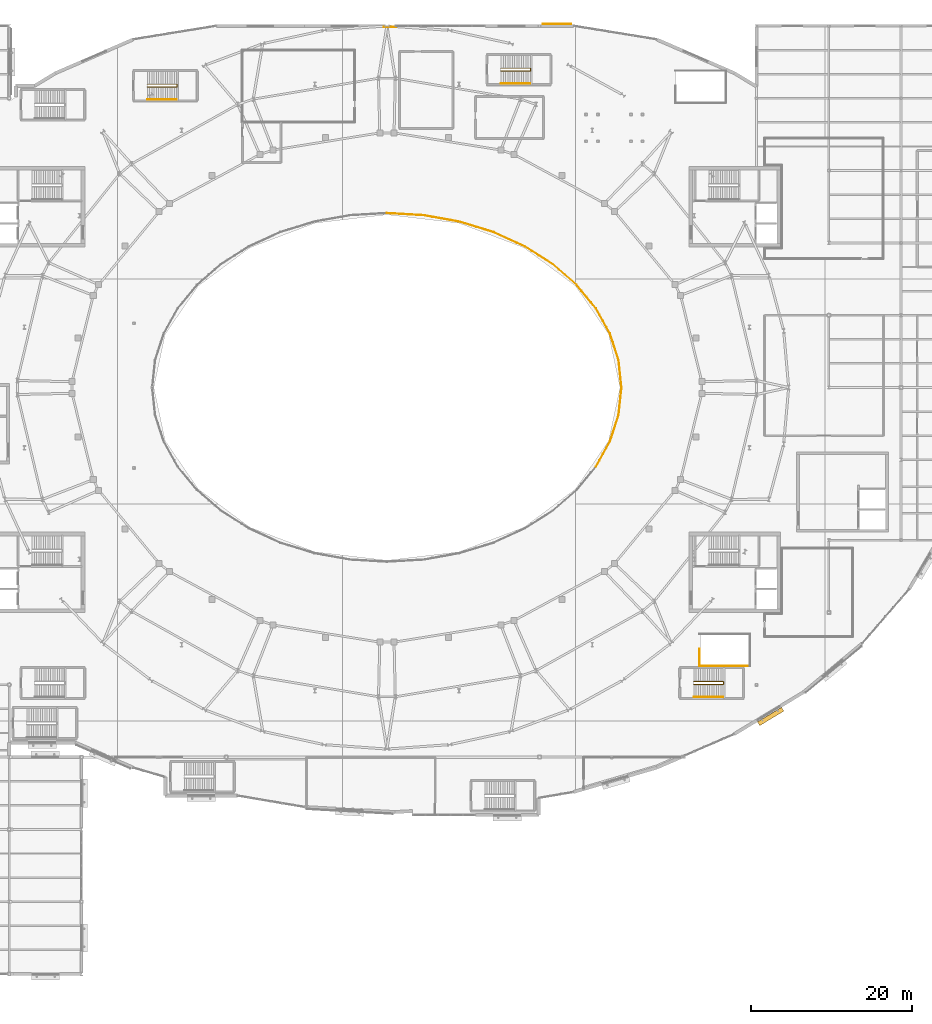
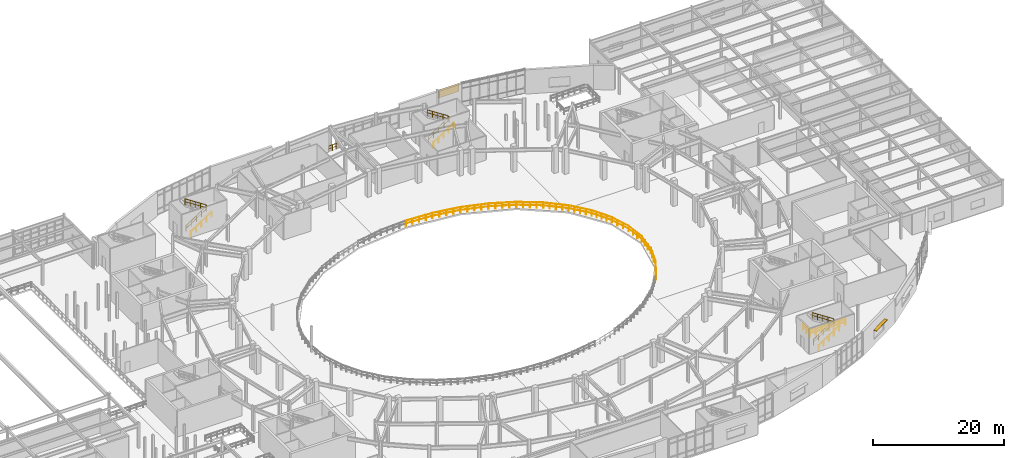
# One storey, part 85 of 86: 22 railings, 1 covering, 1 shading device.
"""IFC4 building model written with IfcOpenShell, lengths in metres."""

from ifc_helpers import new_model, si_unit, direction, frame, origin, origin_2d, place, context, subcontext, project, spatial, rectangle, circle, extrude, material, layer, layer_set, type_object, element, save


model = new_model("IFC4")

# Units and contexts
model_context = context("Model", 3, precision=1e-05, world=origin(), true_north=direction((0.0, 1.0)))
body_context = subcontext(model_context, "Body", "Model", "MODEL_VIEW")
ifc_project = project(units=[si_unit("LENGTHUNIT", "METRE"), si_unit("AREAUNIT", "SQUARE_METRE"), si_unit("VOLUMEUNIT", "CUBIC_METRE"), si_unit("PLANEANGLEUNIT", "RADIAN"), si_unit("MASSUNIT", "GRAM", prefix="KILO")], contexts=[model_context])

# Site, building, storey
site_placement = place(None, origin())
site = spatial("IfcSite", under=ifc_project, at=site_placement, CompositionType="ELEMENT")
building_placement = place(site_placement, origin())
building = spatial("IfcBuilding", under=site, at=building_placement, Name="Glasvene Arena", CompositionType="ELEMENT")
storey_placement = place(building_placement, frame((0.0, 0.0, 5.39990234375)))
storey = spatial("IfcBuildingStorey", under=building, at=storey_placement, Name="L01", CompositionType="ELEMENT", Elevation=5.39990234375)

# Covering
ifc_material_1 = material(Name="Coursed pale Irish limestone", Category="masonry")
ifc_layer_1 = layer(ifc_material_1, 0.050048828125)
ifc_layer_set_1 = layer_set([ifc_layer_1], Name="Coursed pale Irish limestone")
covering_type = type_object("IfcCoveringType", Name="COV-CLAD-LIM", PredefinedType="CLADDING", material=ifc_layer_set_1)
covering_placement = place(storey_placement, frame((113.177490234375, 118.219970703125, 2.9501953125), z_axis=(0.0, 0.0, 1.0), x_axis=(1.0, 0.0, 0.0)))
element("IfcCovering", 1, at=covering_placement, inside=storey, type_object=covering_type, Name="Irish limestone spandrel cladding EW-L01-0076", PredefinedType="CLADDING", context=body_context, shape_type="SweptSolid", body=[
    extrude(rectangle(XDim=3.55078125, YDim=0.050048828125, at=origin_2d()), origin(), (0.0, 0.0, 1.0), 1.52001953125),
])

# Railings
ifc_material_2 = material(Name="Brushed stainless steel", Category="steel")
railing_type_1 = type_object("IfcRailingType", Name="RL-GUARD-1100", PredefinedType="GUARDRAIL", material=ifc_material_2)
railing_1_placement = place(storey_placement, frame((130.199951171875, 36.06005859375, 0.0)))
element("IfcRailing", 2, at=railing_1_placement, inside=storey, type_object=railing_type_1, Name="Stair inner well continuous guardrail ST-06-L01", PredefinedType="GUARDRAIL", context=body_context, shape_type="SweptSolid", body=[
    extrude(circle(Radius=0.02392578125, at=origin_2d()), frame((0.0, 0.0, 1.076171875), z_axis=(0.837590697589, 0.0, 0.546298291515), x_axis=(0.0, 1.0, 0.0)), (0.0, 0.0, 1.0), 4.3935546875),
    extrude(circle(Radius=0.01611328125, at=origin_2d()), frame((0.0, 0.0, 0.550048828125), z_axis=(0.837590697589, 0.0, 0.546298291515), x_axis=(0.0, 1.0, 0.0)), (0.0, 0.0, 1.0), 4.3935546875),
    extrude(circle(Radius=0.02392578125, at=origin_2d()), frame((3.679931640625, 0.0, 3.47607421875), z_axis=(0.0, 1.0, 0.0), x_axis=(-1.0, 0.0, 0.0)), (0.0, 0.0, 1.0), 0.329833984375),
    extrude(circle(Radius=0.01611328125, at=origin_2d()), frame((3.679931640625, 0.0, 2.9501953125), z_axis=(0.0, 1.0, 0.0), x_axis=(-1.0, 0.0, 0.0)), (0.0, 0.0, 1.0), 0.329833984375),
    extrude(circle(Radius=0.02392578125, at=origin_2d()), frame((3.679931640625, 0.329833984375, 3.47607421875), z_axis=(-0.837616124378, 0.0, 0.546259304892), x_axis=(0.0, -1.0, 0.0)), (0.0, 0.0, 1.0), 4.393310546875),
    extrude(circle(Radius=0.01611328125, at=origin_2d()), frame((3.679931640625, 0.329833984375, 2.9501953125), z_axis=(-0.837616124378, 0.0, 0.546259304892), x_axis=(0.0, -1.0, 0.0)), (0.0, 0.0, 1.0), 4.393310546875),
    extrude(circle(Radius=0.02099609375, at=origin_2d()), origin(), (0.0, 0.0, 1.0), 1.052001953125),
    extrude(circle(Radius=0.02099609375, at=origin_2d()), frame((0.919921875, 0.0, 0.60009765625)), (0.0, 0.0, 1.0), 1.052001953125),
    extrude(circle(Radius=0.02099609375, at=origin_2d()), frame((1.83984375, 0.0, 1.2001953125)), (0.0, 0.0, 1.0), 1.052001953125),
    extrude(circle(Radius=0.02099609375, at=origin_2d()), frame((2.760009765625, 0.0, 1.800048828125)), (0.0, 0.0, 1.0), 1.052001953125),
    extrude(circle(Radius=0.02099609375, at=origin_2d()), frame((3.679931640625, 0.0, 2.400146484375)), (0.0, 0.0, 1.0), 1.052001953125),
    extrude(circle(Radius=0.02099609375, at=origin_2d()), frame((3.679931640625, 0.329833984375, 2.400146484375)), (0.0, 0.0, 1.0), 1.052001953125),
    extrude(circle(Radius=0.02099609375, at=origin_2d()), frame((2.760009765625, 0.329833984375, 3.0)), (0.0, 0.0, 1.0), 1.052001953125),
    extrude(circle(Radius=0.02099609375, at=origin_2d()), frame((1.83984375, 0.329833984375, 3.60009765625)), (0.0, 0.0, 1.0), 1.052001953125),
    extrude(circle(Radius=0.02099609375, at=origin_2d()), frame((0.919921875, 0.329833984375, 4.2001953125)), (0.0, 0.0, 1.0), 1.052001953125),
    extrude(circle(Radius=0.02099609375, at=origin_2d()), frame((0.0, 0.329833984375, 4.800048828125)), (0.0, 0.0, 1.0), 1.052001953125),
])
railing_2_placement = place(storey_placement, frame((62.199951171875, 110.409912109375, 0.0)))
element("IfcRailing", 3, at=railing_2_placement, inside=storey, type_object=railing_type_1, Name="Stair inner well continuous guardrail ST-10-L01", PredefinedType="GUARDRAIL", context=body_context, shape_type="SweptSolid", body=[
    extrude(circle(Radius=0.02392578125, at=origin_2d()), frame((0.0, 0.0, 1.076171875), z_axis=(0.837590697589, 0.0, 0.546298291515), x_axis=(0.0, 1.0, 0.0)), (0.0, 0.0, 1.0), 4.3935546875),
    extrude(circle(Radius=0.01611328125, at=origin_2d()), frame((0.0, 0.0, 0.550048828125), z_axis=(0.837590697589, 0.0, 0.546298291515), x_axis=(0.0, 1.0, 0.0)), (0.0, 0.0, 1.0), 4.3935546875),
    extrude(circle(Radius=0.02392578125, at=origin_2d()), frame((3.679931640625, 0.0, 3.47607421875), z_axis=(0.0, 1.0, 0.0), x_axis=(-1.0, 0.0, 0.0)), (0.0, 0.0, 1.0), 0.330078125),
    extrude(circle(Radius=0.01611328125, at=origin_2d()), frame((3.679931640625, 0.0, 2.9501953125), z_axis=(0.0, 1.0, 0.0), x_axis=(-1.0, 0.0, 0.0)), (0.0, 0.0, 1.0), 0.330078125),
    extrude(circle(Radius=0.02392578125, at=origin_2d()), frame((3.679931640625, 0.330078125, 3.47607421875), z_axis=(-0.837616124378, 0.0, 0.546259304892), x_axis=(0.0, -1.0, 0.0)), (0.0, 0.0, 1.0), 4.393310546875),
    extrude(circle(Radius=0.01611328125, at=origin_2d()), frame((3.679931640625, 0.330078125, 2.9501953125), z_axis=(-0.837616124378, 0.0, 0.546259304892), x_axis=(0.0, -1.0, 0.0)), (0.0, 0.0, 1.0), 4.393310546875),
    extrude(circle(Radius=0.02099609375, at=origin_2d()), origin(), (0.0, 0.0, 1.0), 1.052001953125),
    extrude(circle(Radius=0.02099609375, at=origin_2d()), frame((0.919921875, 0.0, 0.60009765625)), (0.0, 0.0, 1.0), 1.052001953125),
    extrude(circle(Radius=0.02099609375, at=origin_2d()), frame((1.83984375, 0.0, 1.2001953125)), (0.0, 0.0, 1.0), 1.052001953125),
    extrude(circle(Radius=0.02099609375, at=origin_2d()), frame((2.760009765625, 0.0, 1.800048828125)), (0.0, 0.0, 1.0), 1.052001953125),
    extrude(circle(Radius=0.02099609375, at=origin_2d()), frame((3.679931640625, 0.0, 2.400146484375)), (0.0, 0.0, 1.0), 1.052001953125),
    extrude(circle(Radius=0.02099609375, at=origin_2d()), frame((3.679931640625, 0.330078125, 2.400146484375)), (0.0, 0.0, 1.0), 1.052001953125),
    extrude(circle(Radius=0.02099609375, at=origin_2d()), frame((2.760009765625, 0.330078125, 3.0)), (0.0, 0.0, 1.0), 1.052001953125),
    extrude(circle(Radius=0.02099609375, at=origin_2d()), frame((1.83984375, 0.330078125, 3.60009765625)), (0.0, 0.0, 1.0), 1.052001953125),
    extrude(circle(Radius=0.02099609375, at=origin_2d()), frame((0.919921875, 0.330078125, 4.2001953125)), (0.0, 0.0, 1.0), 1.052001953125),
    extrude(circle(Radius=0.02099609375, at=origin_2d()), frame((0.0, 0.330078125, 4.800048828125)), (0.0, 0.0, 1.0), 1.052001953125),
])
railing_3_placement = place(storey_placement, frame((106.199951171875, 112.409912109375, 0.0)))
element("IfcRailing", 4, at=railing_3_placement, inside=storey, type_object=railing_type_1, Name="Stair inner well continuous guardrail ST-11-L01", PredefinedType="GUARDRAIL", context=body_context, shape_type="SweptSolid", body=[
    extrude(circle(Radius=0.02392578125, at=origin_2d()), frame((0.0, 0.0, 1.076171875), z_axis=(0.837590697589, 0.0, 0.546298291515), x_axis=(0.0, 1.0, 0.0)), (0.0, 0.0, 1.0), 4.3935546875),
    extrude(circle(Radius=0.01611328125, at=origin_2d()), frame((0.0, 0.0, 0.550048828125), z_axis=(0.837590697589, 0.0, 0.546298291515), x_axis=(0.0, 1.0, 0.0)), (0.0, 0.0, 1.0), 4.3935546875),
    extrude(circle(Radius=0.02392578125, at=origin_2d()), frame((3.679931640625, 0.0, 3.47607421875), z_axis=(0.0, 1.0, 0.0), x_axis=(-1.0, 0.0, 0.0)), (0.0, 0.0, 1.0), 0.330078125),
    extrude(circle(Radius=0.01611328125, at=origin_2d()), frame((3.679931640625, 0.0, 2.9501953125), z_axis=(0.0, 1.0, 0.0), x_axis=(-1.0, 0.0, 0.0)), (0.0, 0.0, 1.0), 0.330078125),
    extrude(circle(Radius=0.02392578125, at=origin_2d()), frame((3.679931640625, 0.330078125, 3.47607421875), z_axis=(-0.837616124378, 0.0, 0.546259304892), x_axis=(0.0, -1.0, 0.0)), (0.0, 0.0, 1.0), 4.393310546875),
    extrude(circle(Radius=0.01611328125, at=origin_2d()), frame((3.679931640625, 0.330078125, 2.9501953125), z_axis=(-0.837616124378, 0.0, 0.546259304892), x_axis=(0.0, -1.0, 0.0)), (0.0, 0.0, 1.0), 4.393310546875),
    extrude(circle(Radius=0.02099609375, at=origin_2d()), origin(), (0.0, 0.0, 1.0), 1.052001953125),
    extrude(circle(Radius=0.02099609375, at=origin_2d()), frame((0.919921875, 0.0, 0.60009765625)), (0.0, 0.0, 1.0), 1.052001953125),
    extrude(circle(Radius=0.02099609375, at=origin_2d()), frame((1.83984375, 0.0, 1.2001953125)), (0.0, 0.0, 1.0), 1.052001953125),
    extrude(circle(Radius=0.02099609375, at=origin_2d()), frame((2.760009765625, 0.0, 1.800048828125)), (0.0, 0.0, 1.0), 1.052001953125),
    extrude(circle(Radius=0.02099609375, at=origin_2d()), frame((3.679931640625, 0.0, 2.400146484375)), (0.0, 0.0, 1.0), 1.052001953125),
    extrude(circle(Radius=0.02099609375, at=origin_2d()), frame((3.679931640625, 0.330078125, 2.400146484375)), (0.0, 0.0, 1.0), 1.052001953125),
    extrude(circle(Radius=0.02099609375, at=origin_2d()), frame((2.760009765625, 0.330078125, 3.0)), (0.0, 0.0, 1.0), 1.052001953125),
    extrude(circle(Radius=0.02099609375, at=origin_2d()), frame((1.83984375, 0.330078125, 3.60009765625)), (0.0, 0.0, 1.0), 1.052001953125),
    extrude(circle(Radius=0.02099609375, at=origin_2d()), frame((0.919921875, 0.330078125, 4.2001953125)), (0.0, 0.0, 1.0), 1.052001953125),
    extrude(circle(Radius=0.02099609375, at=origin_2d()), frame((0.0, 0.330078125, 4.800048828125)), (0.0, 0.0, 1.0), 1.052001953125),
])
railing_4_placement = place(storey_placement, frame((130.919921875, 40.449951171875, 0.0)))
element("IfcRailing", 5, at=railing_4_placement, inside=storey, type_object=railing_type_1, Name="Safety guardrail GD-VOM-02-TOP-001", PredefinedType="GUARDRAIL", context=body_context, shape_type="SweptSolid", body=[
    extrude(circle(Radius=0.02392578125, at=origin_2d()), frame((0.0, 0.0, 1.076171875), z_axis=(0.0, -1.0, 0.0), x_axis=(1.0, 0.0, 0.0)), (0.0, 0.0, 1.0), 2.1298828125),
    extrude(circle(Radius=0.01611328125, at=origin_2d()), frame((0.0, 0.0, 0.550048828125), z_axis=(0.0, -1.0, 0.0), x_axis=(1.0, 0.0, 0.0)), (0.0, 0.0, 1.0), 2.1298828125),
    extrude(circle(Radius=0.02099609375, at=origin_2d()), origin(), (0.0, 0.0, 1.0), 1.052001953125),
    extrude(circle(Radius=0.02099609375, at=origin_2d()), frame((0.0, -1.06494140625, 0.0)), (0.0, 0.0, 1.0), 1.052001953125),
    extrude(circle(Radius=0.02099609375, at=origin_2d()), frame((0.0, -2.1298828125, 0.0)), (0.0, 0.0, 1.0), 1.052001953125),
])
railing_5_placement = place(storey_placement, frame((130.919921875, 38.320068359375, 0.0)))
element("IfcRailing", 6, at=railing_5_placement, inside=storey, type_object=railing_type_1, Name="Safety guardrail GD-VOM-02-TOP-002", PredefinedType="GUARDRAIL", context=body_context, shape_type="SweptSolid", body=[
    extrude(circle(Radius=0.02392578125, at=origin_2d()), frame((0.0, 0.0, 1.076171875), z_axis=(1.0, 0.0, 0.0), x_axis=(0.0, 1.0, 0.0)), (0.0, 0.0, 1.0), 6.260009765625),
    extrude(circle(Radius=0.01611328125, at=origin_2d()), frame((0.0, 0.0, 0.550048828125), z_axis=(1.0, 0.0, 0.0), x_axis=(0.0, 1.0, 0.0)), (0.0, 0.0, 1.0), 6.260009765625),
    extrude(circle(Radius=0.02099609375, at=origin_2d()), origin(), (0.0, 0.0, 1.0), 1.052001953125),
    extrude(circle(Radius=0.02099609375, at=origin_2d()), frame((1.04345703125, 0.0, 0.0)), (0.0, 0.0, 1.0), 1.052001953125),
    extrude(circle(Radius=0.02099609375, at=origin_2d()), frame((2.086669921875, 0.0, 0.0)), (0.0, 0.0, 1.0), 1.052001953125),
    extrude(circle(Radius=0.02099609375, at=origin_2d()), frame((3.1298828125, 0.0, 0.0)), (0.0, 0.0, 1.0), 1.052001953125),
    extrude(circle(Radius=0.02099609375, at=origin_2d()), frame((4.17333984375, 0.0, 0.0)), (0.0, 0.0, 1.0), 1.052001953125),
    extrude(circle(Radius=0.02099609375, at=origin_2d()), frame((5.216796875, 0.0, 0.0)), (0.0, 0.0, 1.0), 1.052001953125),
    extrude(circle(Radius=0.02099609375, at=origin_2d()), frame((6.260009765625, 0.0, 0.0)), (0.0, 0.0, 1.0), 1.052001953125),
])
railing_6_placement = place(storey_placement, frame((121.199951171875, 73.0, 0.0)))
element("IfcRailing", 7, at=railing_6_placement, inside=storey, type_object=railing_type_1, Name="Safety guardrail GD-BWL-L01-001", PredefinedType="GUARDRAIL", context=body_context, shape_type="SweptSolid", body=[
    extrude(circle(Radius=0.02392578125, at=origin_2d()), frame((0.0, 0.0, 1.076171875), z_axis=(-0.10528045623, 0.994442570255, 0.0), x_axis=(-0.994442570255, -0.10528045623, 0.0)), (0.0, 0.0, 1.0), 3.41357421875),
    extrude(circle(Radius=0.01611328125, at=origin_2d()), frame((0.0, 0.0, 0.550048828125), z_axis=(-0.10528045623, 0.994442570255, 0.0), x_axis=(-0.994442570255, -0.10528045623, 0.0)), (0.0, 0.0, 1.0), 3.41357421875),
    extrude(circle(Radius=0.02099609375, at=origin_2d()), origin(), (0.0, 0.0, 1.0), 1.052001953125),
    extrude(circle(Radius=0.02099609375, at=origin_2d()), frame((-0.119873046875, 1.131591796875, 0.0)), (0.0, 0.0, 1.0), 1.052001953125),
    extrude(circle(Radius=0.02099609375, at=origin_2d()), frame((-0.239501953125, 2.262939453125, 0.0)), (0.0, 0.0, 1.0), 1.052001953125),
    extrude(circle(Radius=0.02099609375, at=origin_2d()), frame((-0.359375, 3.39453125, 0.0)), (0.0, 0.0, 1.0), 1.052001953125),
])
railing_7_placement = place(storey_placement, frame((120.840576171875, 76.39453125, 0.0)))
element("IfcRailing", 8, at=railing_7_placement, inside=storey, type_object=railing_type_1, Name="Safety guardrail GD-BWL-L01-002", PredefinedType="GUARDRAIL", context=body_context, shape_type="SweptSolid", body=[
    extrude(circle(Radius=0.02392578125, at=origin_2d()), frame((0.0, 0.0, 1.076171875), z_axis=(-0.30737379466, 0.951588855734, 0.0), x_axis=(-0.951588855734, -0.30737379466, 0.0)), (0.0, 0.0, 1.0), 3.479736328125),
    extrude(circle(Radius=0.01611328125, at=origin_2d()), frame((0.0, 0.0, 0.550048828125), z_axis=(-0.30737379466, 0.951588855734, 0.0), x_axis=(-0.951588855734, -0.30737379466, 0.0)), (0.0, 0.0, 1.0), 3.479736328125),
    extrude(circle(Radius=0.02099609375, at=origin_2d()), origin(), (0.0, 0.0, 1.0), 1.052001953125),
    extrude(circle(Radius=0.02099609375, at=origin_2d()), frame((-0.3564453125, 1.103759765625, 0.0)), (0.0, 0.0, 1.0), 1.052001953125),
    extrude(circle(Radius=0.02099609375, at=origin_2d()), frame((-0.713134765625, 2.20751953125, 0.0)), (0.0, 0.0, 1.0), 1.052001953125),
    extrude(circle(Radius=0.02099609375, at=origin_2d()), frame((-1.069580078125, 3.311279296875, 0.0)), (0.0, 0.0, 1.0), 1.052001953125),
])
railing_8_placement = place(storey_placement, frame((119.77099609375, 79.705810546875, 0.0)))
element("IfcRailing", 9, at=railing_8_placement, inside=storey, type_object=railing_type_1, Name="Safety guardrail GD-BWL-L01-003", PredefinedType="GUARDRAIL", context=body_context, shape_type="SweptSolid", body=[
    extrude(circle(Radius=0.02392578125, at=origin_2d()), frame((0.0, 0.0, 1.076171875), z_axis=(-0.486920149471, 0.873446488366, 0.0), x_axis=(-0.873446488366, -0.486920149471, 0.0)), (0.0, 0.0, 1.0), 3.6015625),
    extrude(circle(Radius=0.01611328125, at=origin_2d()), frame((0.0, 0.0, 0.550048828125), z_axis=(-0.486920149471, 0.873446488366, 0.0), x_axis=(-0.873446488366, -0.486920149471, 0.0)), (0.0, 0.0, 1.0), 3.6015625),
    extrude(circle(Radius=0.02099609375, at=origin_2d()), origin(), (0.0, 0.0, 1.0), 1.052001953125),
    extrude(circle(Radius=0.02099609375, at=origin_2d()), frame((-0.4384765625, 0.786376953125, 0.0)), (0.0, 0.0, 1.0), 1.052001953125),
    extrude(circle(Radius=0.02099609375, at=origin_2d()), frame((-0.876953125, 1.57275390625, 0.0)), (0.0, 0.0, 1.0), 1.052001953125),
    extrude(circle(Radius=0.02099609375, at=origin_2d()), frame((-1.315185546875, 2.359375, 0.0)), (0.0, 0.0, 1.0), 1.052001953125),
    extrude(circle(Radius=0.02099609375, at=origin_2d()), frame((-1.753662109375, 3.145751953125, 0.0)), (0.0, 0.0, 1.0), 1.052001953125),
])
railing_9_placement = place(storey_placement, frame((118.017333984375, 82.8515625, 0.0)))
element("IfcRailing", 10, at=railing_9_placement, inside=storey, type_object=railing_type_1, Name="Safety guardrail GD-BWL-L01-004", PredefinedType="GUARDRAIL", context=body_context, shape_type="SweptSolid", body=[
    extrude(circle(Radius=0.02392578125, at=origin_2d()), frame((0.0, 0.0, 1.076171875), z_axis=(-0.6361937785, 0.771529310006, 0.0), x_axis=(-0.771529310006, -0.6361937785, 0.0)), (0.0, 0.0, 1.0), 3.76318359375),
    extrude(circle(Radius=0.01611328125, at=origin_2d()), frame((0.0, 0.0, 0.550048828125), z_axis=(-0.6361937785, 0.771529310006, 0.0), x_axis=(-0.771529310006, -0.6361937785, 0.0)), (0.0, 0.0, 1.0), 3.76318359375),
    extrude(circle(Radius=0.02099609375, at=origin_2d()), origin(), (0.0, 0.0, 1.0), 1.052001953125),
    extrude(circle(Radius=0.02099609375, at=origin_2d()), frame((-0.5986328125, 0.725830078125, 0.0)), (0.0, 0.0, 1.0), 1.052001953125),
    extrude(circle(Radius=0.02099609375, at=origin_2d()), frame((-1.197021484375, 1.45166015625, 0.0)), (0.0, 0.0, 1.0), 1.052001953125),
    extrude(circle(Radius=0.02099609375, at=origin_2d()), frame((-1.79541015625, 2.177490234375, 0.0)), (0.0, 0.0, 1.0), 1.052001953125),
    extrude(circle(Radius=0.02099609375, at=origin_2d()), frame((-2.39404296875, 2.9033203125, 0.0)), (0.0, 0.0, 1.0), 1.052001953125),
])
railing_10_placement = place(storey_placement, frame((115.623291015625, 85.7548828125, 0.0)))
element("IfcRailing", 11, at=railing_10_placement, inside=storey, type_object=railing_type_1, Name="Safety guardrail GD-BWL-L01-005", PredefinedType="GUARDRAIL", context=body_context, shape_type="SweptSolid", body=[
    extrude(circle(Radius=0.02392578125, at=origin_2d()), frame((0.0, 0.0, 1.076171875), z_axis=(-0.754394959105, 0.656420784007, 0.0), x_axis=(-0.656420784007, -0.754394959105, 0.0)), (0.0, 0.0, 1.0), 3.944580078125),
    extrude(circle(Radius=0.01611328125, at=origin_2d()), frame((0.0, 0.0, 0.550048828125), z_axis=(-0.754394959105, 0.656420784007, 0.0), x_axis=(-0.656420784007, -0.754394959105, 0.0)), (0.0, 0.0, 1.0), 3.944580078125),
    extrude(circle(Radius=0.02099609375, at=origin_2d()), origin(), (0.0, 0.0, 1.0), 1.052001953125),
    extrude(circle(Radius=0.02099609375, at=origin_2d()), frame((-0.743896484375, 0.6474609375, 0.0)), (0.0, 0.0, 1.0), 1.052001953125),
    extrude(circle(Radius=0.02099609375, at=origin_2d()), frame((-1.48779296875, 1.294677734375, 0.0)), (0.0, 0.0, 1.0), 1.052001953125),
    extrude(circle(Radius=0.02099609375, at=origin_2d()), frame((-2.23193359375, 1.94189453125, 0.0)), (0.0, 0.0, 1.0), 1.052001953125),
    extrude(circle(Radius=0.02099609375, at=origin_2d()), frame((-2.975830078125, 2.58935546875, 0.0)), (0.0, 0.0, 1.0), 1.052001953125),
])
railing_11_placement = place(storey_placement, frame((112.6474609375, 88.34423828125, 0.0)))
element("IfcRailing", 12, at=railing_11_placement, inside=storey, type_object=railing_type_1, Name="Safety guardrail GD-BWL-L01-006", PredefinedType="GUARDRAIL", context=body_context, shape_type="SweptSolid", body=[
    extrude(circle(Radius=0.02392578125, at=origin_2d()), frame((0.0, 0.0, 1.076171875), z_axis=(-0.844291843699, 0.535883646572, 0.0), x_axis=(-0.535883646572, -0.844291843699, 0.0)), (0.0, 0.0, 1.0), 4.126708984375),
    extrude(circle(Radius=0.01611328125, at=origin_2d()), frame((0.0, 0.0, 0.550048828125), z_axis=(-0.844291843699, 0.535883646572, 0.0), x_axis=(-0.535883646572, -0.844291843699, 0.0)), (0.0, 0.0, 1.0), 4.126708984375),
    extrude(circle(Radius=0.02099609375, at=origin_2d()), origin(), (0.0, 0.0, 1.0), 1.052001953125),
    extrude(circle(Radius=0.02099609375, at=origin_2d()), frame((-0.87109375, 0.552734375, 0.0)), (0.0, 0.0, 1.0), 1.052001953125),
    extrude(circle(Radius=0.02099609375, at=origin_2d()), frame((-1.7421875, 1.105712890625, 0.0)), (0.0, 0.0, 1.0), 1.052001953125),
    extrude(circle(Radius=0.02099609375, at=origin_2d()), frame((-2.613037109375, 1.65869140625, 0.0)), (0.0, 0.0, 1.0), 1.052001953125),
    extrude(circle(Radius=0.02099609375, at=origin_2d()), frame((-3.484130859375, 2.21142578125, 0.0)), (0.0, 0.0, 1.0), 1.052001953125),
])
railing_12_placement = place(storey_placement, frame((109.163330078125, 90.5556640625, 0.0)))
element("IfcRailing", 13, at=railing_12_placement, inside=storey, type_object=railing_type_1, Name="Safety guardrail GD-BWL-L01-007", PredefinedType="GUARDRAIL", context=body_context, shape_type="SweptSolid", body=[
    extrude(circle(Radius=0.02392578125, at=origin_2d()), frame((0.0, 0.0, 1.076171875), z_axis=(-0.910079947412, 0.414432731958, 0.0), x_axis=(-0.414432731958, -0.910079947412, 0.0)), (0.0, 0.0, 1.0), 4.292724609375),
    extrude(circle(Radius=0.01611328125, at=origin_2d()), frame((0.0, 0.0, 0.550048828125), z_axis=(-0.910079947412, 0.414432731958, 0.0), x_axis=(-0.414432731958, -0.910079947412, 0.0)), (0.0, 0.0, 1.0), 4.292724609375),
    extrude(circle(Radius=0.02099609375, at=origin_2d()), origin(), (0.0, 0.0, 1.0), 1.052001953125),
    extrude(circle(Radius=0.02099609375, at=origin_2d()), frame((-0.9765625, 0.44482421875, 0.0)), (0.0, 0.0, 1.0), 1.052001953125),
    extrude(circle(Radius=0.02099609375, at=origin_2d()), frame((-1.953369140625, 0.8896484375, 0.0)), (0.0, 0.0, 1.0), 1.052001953125),
    extrude(circle(Radius=0.02099609375, at=origin_2d()), frame((-2.93017578125, 1.334228515625, 0.0)), (0.0, 0.0, 1.0), 1.052001953125),
    extrude(circle(Radius=0.02099609375, at=origin_2d()), frame((-3.90673828125, 1.779052734375, 0.0)), (0.0, 0.0, 1.0), 1.052001953125),
])
railing_13_placement = place(storey_placement, frame((105.256591796875, 92.334716796875, 0.0)))
element("IfcRailing", 14, at=railing_13_placement, inside=storey, type_object=railing_type_1, Name="Safety guardrail GD-BWL-L01-008", PredefinedType="GUARDRAIL", context=body_context, shape_type="SweptSolid", body=[
    extrude(circle(Radius=0.02392578125, at=origin_2d()), frame((0.0, 0.0, 1.076171875), z_axis=(-0.955738480796, 0.294217532323, 0.0), x_axis=(-0.294217532323, -0.955738480796, 0.0)), (0.0, 0.0, 1.0), 4.429443359375),
    extrude(circle(Radius=0.01611328125, at=origin_2d()), frame((0.0, 0.0, 0.550048828125), z_axis=(-0.955738480796, 0.294217532323, 0.0), x_axis=(-0.294217532323, -0.955738480796, 0.0)), (0.0, 0.0, 1.0), 4.429443359375),
    extrude(circle(Radius=0.02099609375, at=origin_2d()), origin(), (0.0, 0.0, 1.0), 1.052001953125),
    extrude(circle(Radius=0.02099609375, at=origin_2d()), frame((-1.058349609375, 0.32568359375, 0.0)), (0.0, 0.0, 1.0), 1.052001953125),
    extrude(circle(Radius=0.02099609375, at=origin_2d()), frame((-2.11669921875, 0.651611328125, 0.0)), (0.0, 0.0, 1.0), 1.052001953125),
    extrude(circle(Radius=0.02099609375, at=origin_2d()), frame((-3.175048828125, 0.9775390625, 0.0)), (0.0, 0.0, 1.0), 1.052001953125),
    extrude(circle(Radius=0.02099609375, at=origin_2d()), frame((-4.2333984375, 1.30322265625, 0.0)), (0.0, 0.0, 1.0), 1.052001953125),
])
railing_14_placement = place(storey_placement, frame((101.023193359375, 93.637939453125, 0.0)))
element("IfcRailing", 15, at=railing_14_placement, inside=storey, type_object=railing_type_1, Name="Safety guardrail GD-BWL-L01-009", PredefinedType="GUARDRAIL", context=body_context, shape_type="SweptSolid", body=[
    extrude(circle(Radius=0.02392578125, at=origin_2d()), frame((0.0, 0.0, 1.076171875), z_axis=(-0.984453237515, 0.175646870587, 0.0), x_axis=(-0.175646870587, -0.984453237515, 0.0)), (0.0, 0.0, 1.0), 4.525634765625),
    extrude(circle(Radius=0.01611328125, at=origin_2d()), frame((0.0, 0.0, 0.550048828125), z_axis=(-0.984453237515, 0.175646870587, 0.0), x_axis=(-0.175646870587, -0.984453237515, 0.0)), (0.0, 0.0, 1.0), 4.525634765625),
    extrude(circle(Radius=0.02099609375, at=origin_2d()), origin(), (0.0, 0.0, 1.0), 1.052001953125),
    extrude(circle(Radius=0.02099609375, at=origin_2d()), frame((-1.11376953125, 0.19873046875, 0.0)), (0.0, 0.0, 1.0), 1.052001953125),
    extrude(circle(Radius=0.02099609375, at=origin_2d()), frame((-2.2275390625, 0.3974609375, 0.0)), (0.0, 0.0, 1.0), 1.052001953125),
    extrude(circle(Radius=0.02099609375, at=origin_2d()), frame((-3.341552734375, 0.59619140625, 0.0)), (0.0, 0.0, 1.0), 1.052001953125),
    extrude(circle(Radius=0.02099609375, at=origin_2d()), frame((-4.455322265625, 0.794921875, 0.0)), (0.0, 0.0, 1.0), 1.052001953125),
])
railing_15_placement = place(storey_placement, frame((96.56787109375, 94.432861328125, 0.0)))
element("IfcRailing", 16, at=railing_15_placement, inside=storey, type_object=railing_type_1, Name="Safety guardrail GD-BWL-L01-010", PredefinedType="GUARDRAIL", context=body_context, shape_type="SweptSolid", body=[
    extrude(circle(Radius=0.02392578125, at=origin_2d()), frame((0.0, 0.0, 1.076171875), z_axis=(-0.998294918251, 0.058371707139, 0.0), x_axis=(-0.058371707139, -0.998294918251, 0.0)), (0.0, 0.0, 1.0), 4.57568359375),
    extrude(circle(Radius=0.01611328125, at=origin_2d()), frame((0.0, 0.0, 0.550048828125), z_axis=(-0.998294918251, 0.058371707139, 0.0), x_axis=(-0.058371707139, -0.998294918251, 0.0)), (0.0, 0.0, 1.0), 4.57568359375),
    extrude(circle(Radius=0.02099609375, at=origin_2d()), origin(), (0.0, 0.0, 1.0), 1.052001953125),
    extrude(circle(Radius=0.02099609375, at=origin_2d()), frame((-1.14208984375, 0.06689453125, 0.0)), (0.0, 0.0, 1.0), 1.052001953125),
    extrude(circle(Radius=0.02099609375, at=origin_2d()), frame((-2.283935546875, 0.133544921875, 0.0)), (0.0, 0.0, 1.0), 1.052001953125),
    extrude(circle(Radius=0.02099609375, at=origin_2d()), frame((-3.42578125, 0.2001953125, 0.0)), (0.0, 0.0, 1.0), 1.052001953125),
    extrude(circle(Radius=0.02099609375, at=origin_2d()), frame((-4.56787109375, 0.26708984375, 0.0)), (0.0, 0.0, 1.0), 1.052001953125),
])
railing_16_placement = place(storey_placement, frame((118.017333984375, 63.1484375, 0.0)))
element("IfcRailing", 17, at=railing_16_placement, inside=storey, type_object=railing_type_1, Name="Safety guardrail GD-BWL-L01-038", PredefinedType="GUARDRAIL", context=body_context, shape_type="SweptSolid", body=[
    extrude(circle(Radius=0.02392578125, at=origin_2d()), frame((0.0, 0.0, 1.076171875), z_axis=(0.486920149471, 0.873446488366, 0.0), x_axis=(-0.873446488366, 0.486920149471, 0.0)), (0.0, 0.0, 1.0), 3.6015625),
    extrude(circle(Radius=0.01611328125, at=origin_2d()), frame((0.0, 0.0, 0.550048828125), z_axis=(0.486920149471, 0.873446488366, 0.0), x_axis=(-0.873446488366, 0.486920149471, 0.0)), (0.0, 0.0, 1.0), 3.6015625),
    extrude(circle(Radius=0.02099609375, at=origin_2d()), origin(), (0.0, 0.0, 1.0), 1.052001953125),
    extrude(circle(Radius=0.02099609375, at=origin_2d()), frame((0.4384765625, 0.786376953125, 0.0)), (0.0, 0.0, 1.0), 1.052001953125),
    extrude(circle(Radius=0.02099609375, at=origin_2d()), frame((0.876953125, 1.57275390625, 0.0)), (0.0, 0.0, 1.0), 1.052001953125),
    extrude(circle(Radius=0.02099609375, at=origin_2d()), frame((1.315185546875, 2.359375, 0.0)), (0.0, 0.0, 1.0), 1.052001953125),
    extrude(circle(Radius=0.02099609375, at=origin_2d()), frame((1.753662109375, 3.145751953125, 0.0)), (0.0, 0.0, 1.0), 1.052001953125),
])
railing_17_placement = place(storey_placement, frame((119.77099609375, 66.294189453125, 0.0)))
element("IfcRailing", 18, at=railing_17_placement, inside=storey, type_object=railing_type_1, Name="Safety guardrail GD-BWL-L01-039", PredefinedType="GUARDRAIL", context=body_context, shape_type="SweptSolid", body=[
    extrude(circle(Radius=0.02392578125, at=origin_2d()), frame((0.0, 0.0, 1.076171875), z_axis=(0.30737379466, 0.951588855734, 0.0), x_axis=(-0.951588855734, 0.30737379466, 0.0)), (0.0, 0.0, 1.0), 3.479736328125),
    extrude(circle(Radius=0.01611328125, at=origin_2d()), frame((0.0, 0.0, 0.550048828125), z_axis=(0.30737379466, 0.951588855734, 0.0), x_axis=(-0.951588855734, 0.30737379466, 0.0)), (0.0, 0.0, 1.0), 3.479736328125),
    extrude(circle(Radius=0.02099609375, at=origin_2d()), origin(), (0.0, 0.0, 1.0), 1.052001953125),
    extrude(circle(Radius=0.02099609375, at=origin_2d()), frame((0.3564453125, 1.103759765625, 0.0)), (0.0, 0.0, 1.0), 1.052001953125),
    extrude(circle(Radius=0.02099609375, at=origin_2d()), frame((0.713134765625, 2.20751953125, 0.0)), (0.0, 0.0, 1.0), 1.052001953125),
    extrude(circle(Radius=0.02099609375, at=origin_2d()), frame((1.069580078125, 3.311279296875, 0.0)), (0.0, 0.0, 1.0), 1.052001953125),
])
railing_18_placement = place(storey_placement, frame((120.840576171875, 69.60546875, 0.0)))
element("IfcRailing", 19, at=railing_18_placement, inside=storey, type_object=railing_type_1, Name="Safety guardrail GD-BWL-L01-040", PredefinedType="GUARDRAIL", context=body_context, shape_type="SweptSolid", body=[
    extrude(circle(Radius=0.02392578125, at=origin_2d()), frame((0.0, 0.0, 1.076171875), z_axis=(0.10528045623, 0.994442570255, 0.0), x_axis=(-0.994442570255, 0.10528045623, 0.0)), (0.0, 0.0, 1.0), 3.41357421875),
    extrude(circle(Radius=0.01611328125, at=origin_2d()), frame((0.0, 0.0, 0.550048828125), z_axis=(0.10528045623, 0.994442570255, 0.0), x_axis=(-0.994442570255, 0.10528045623, 0.0)), (0.0, 0.0, 1.0), 3.41357421875),
    extrude(circle(Radius=0.02099609375, at=origin_2d()), origin(), (0.0, 0.0, 1.0), 1.052001953125),
    extrude(circle(Radius=0.02099609375, at=origin_2d()), frame((0.119873046875, 1.131591796875, 0.0)), (0.0, 0.0, 1.0), 1.052001953125),
    extrude(circle(Radius=0.02099609375, at=origin_2d()), frame((0.239501953125, 2.262939453125, 0.0)), (0.0, 0.0, 1.0), 1.052001953125),
    extrude(circle(Radius=0.02099609375, at=origin_2d()), frame((0.359375, 3.39453125, 0.0)), (0.0, 0.0, 1.0), 1.052001953125),
])
railing_19_placement = place(storey_placement, frame((91.64990234375, 117.8798828125, 0.0)))
element("IfcRailing", 20, at=railing_19_placement, inside=storey, type_object=railing_type_1, Name="Safety guardrail GD-PIER-L01-N-001", PredefinedType="GUARDRAIL", context=body_context, shape_type="SweptSolid", body=[
    extrude(circle(Radius=0.02392578125, at=origin_2d()), frame((0.0, 0.0, 1.076171875), z_axis=(1.0, 0.0, 0.0), x_axis=(0.0, 1.0, 0.0)), (0.0, 0.0, 1.0), 1.5),
    extrude(circle(Radius=0.01611328125, at=origin_2d()), frame((0.0, 0.0, 0.550048828125), z_axis=(1.0, 0.0, 0.0), x_axis=(0.0, 1.0, 0.0)), (0.0, 0.0, 1.0), 1.5),
    extrude(circle(Radius=0.02099609375, at=origin_2d()), origin(), (0.0, 0.0, 1.0), 1.052001953125),
    extrude(circle(Radius=0.02099609375, at=origin_2d()), frame((0.75, 0.0, 0.0)), (0.0, 0.0, 1.0), 1.052001953125),
    extrude(circle(Radius=0.02099609375, at=origin_2d()), frame((1.5, 0.0, 0.0)), (0.0, 0.0, 1.0), 1.052001953125),
])
railing_type_2 = type_object("IfcRailingType", Name="RL-HAND-950", PredefinedType="HANDRAIL", material=ifc_material_2)
for number, where, name in (
    (21, (130.199951171875, 34.4599609375, 0.0), "Stair wall handrail ST-06-L01"),
    (22, (62.199951171875, 108.860107421875, 0.0), "Stair wall handrail ST-10-L01"),
    (23, (106.199951171875, 110.860107421875, 0.0), "Stair wall handrail ST-11-L01"),
):
    element("IfcRailing", number, at=place(storey_placement, frame(where)), inside=storey, type_object=railing_type_2, Name=name, PredefinedType="HANDRAIL", context=body_context, shape_type="SweptSolid", body=[
        extrude(circle(Radius=0.02392578125, at=origin_2d()), frame((0.0, 0.0, 0.92578125), z_axis=(0.834856447115, 0.0, 0.55046772177), x_axis=(0.0, 1.0, 0.0)), (0.0, 0.0, 1.0), 4.360107421875),
        extrude(circle(Radius=0.02099609375, at=origin_2d()), origin(), (0.0, 0.0, 1.0), 0.90185546875),
        extrude(circle(Radius=0.02099609375, at=origin_2d()), frame((0.91015625, 0.0, 0.60009765625)), (0.0, 0.0, 1.0), 0.90185546875),
        extrude(circle(Radius=0.02099609375, at=origin_2d()), frame((1.820068359375, 0.0, 1.2001953125)), (0.0, 0.0, 1.0), 0.90185546875),
        extrude(circle(Radius=0.02099609375, at=origin_2d()), frame((2.72998046875, 0.0, 1.800048828125)), (0.0, 0.0, 1.0), 0.90185546875),
        extrude(circle(Radius=0.02099609375, at=origin_2d()), frame((3.64013671875, 0.0, 2.400146484375)), (0.0, 0.0, 1.0), 0.90185546875),
    ])

# Shading device
ifc_material_3 = material(Name="Warm bronze architectural aluminium", Category="aluminium")
ifc_layer_2 = layer(ifc_material_3, 0.06005859375)
ifc_layer_set_2 = layer_set([ifc_layer_2], Name="Warm bronze architectural aluminium")
shading_device_type = type_object("IfcShadingDeviceType", Name="SHD-BRONZE-FIN", PredefinedType="USERDEFINED", material=ifc_layer_set_2)
shading_device_placement = place(storey_placement, frame((139.759521484375, 32.0546875, 2.820068359375), z_axis=(0.0, 0.0, 1.0), x_axis=(-0.855815998251, -0.517280366086, 0.0)))
element("IfcShadingDevice", 24, at=shading_device_placement, inside=storey, type_object=shading_device_type, Name="Warm bronze brise-soleil fin BS-020", ObjectType="BRISE SOLEIL", PredefinedType="USERDEFINED", context=body_context, shape_type="SweptSolid", body=[
    extrude(rectangle(XDim=3.5, YDim=0.550048828125, at=origin_2d()), origin(), (0.0, 0.0, 1.0), 0.06005859375),
])

save(model, "model.ifc")
